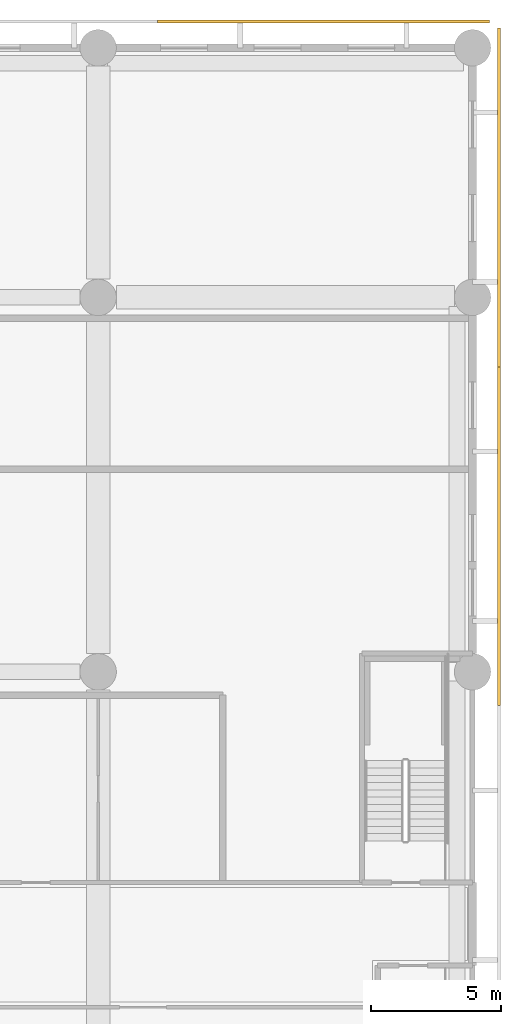
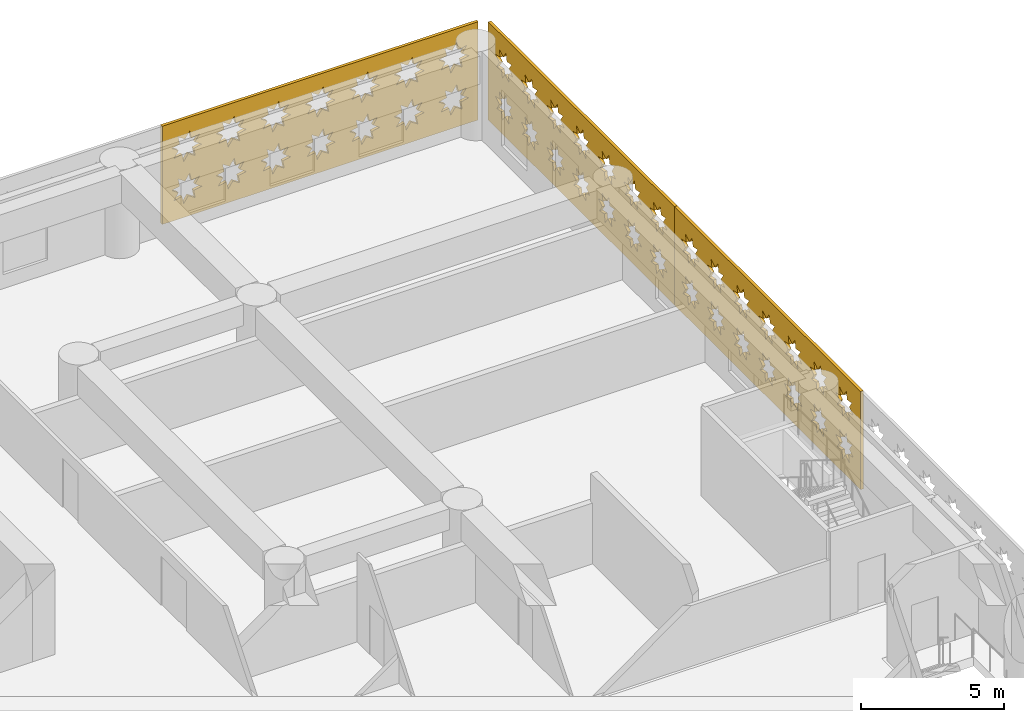
# One storey, part 23 of 23: 3 coverings.
"""IFC4 building model written with IfcOpenShell, lengths in metres."""

from ifc_helpers import new_model, si_unit, direction, frame, origin, place, context, subcontext, project, spatial, polyline, outline, extrude, material, layer, layer_set, type_object, element, save


model = new_model("IFC4")

# Units and contexts
model_context = context("Model", 3, precision=1e-05, world=origin(), true_north=direction((0.0, 1.0)))
body_context = subcontext(model_context, "Body", "Model", "MODEL_VIEW")
ifc_project = project(units=[si_unit("LENGTHUNIT", "METRE"), si_unit("AREAUNIT", "SQUARE_METRE"), si_unit("VOLUMEUNIT", "CUBIC_METRE"), si_unit("PLANEANGLEUNIT", "RADIAN"), si_unit("MASSUNIT", "GRAM", prefix="KILO")], contexts=[model_context])

# Site, building, storey
site_placement = place(None, origin())
site = spatial("IfcSite", under=ifc_project, at=site_placement, CompositionType="ELEMENT")
building_placement = place(site_placement, origin())
building = spatial("IfcBuilding", under=site, at=building_placement, Name="Saffron Iwan Residences", CompositionType="ELEMENT")
storey_placement = place(building_placement, frame((0.0, 0.0, 17.39990234375)))
storey = spatial("IfcBuildingStorey", under=building, at=storey_placement, Name="L03", CompositionType="ELEMENT", Elevation=17.39990234375)

# Coverings
ifc_material = material(Name="Terracotta screen, precast concrete C40/50", Category="masonry")
ifc_layer = layer(ifc_material, 0.1201171875)
ifc_layer_set = layer_set([ifc_layer], Name="Terracotta screen, precast concrete C40/50")
covering_type = type_object("IfcCoveringType", Name="PODIUM SCREEN GIRIH", PredefinedType="CLADDING", material=ifc_layer_set)
covering_1_placement = place(storey_placement, frame((101.75, 61.0966796875, -0.39990234375), z_axis=(1.0, 0.0, 0.0), x_axis=(0.0, 1.0, 0.0)))
element("IfcCovering", 1, at=covering_1_placement, inside=storey, type_object=covering_type, Name="SCREEN girih terracotta L03 F1.4", PredefinedType="CLADDING", context=body_context, shape_type="SweptSolid", body=[
    extrude(outline(polyline([(0.0, 0.0), (13.03662109375, 0.0), (13.03662109375, 4.199951171875), (0.0, 4.199951171875), (0.0, 0.0)]), holes=[polyline([(1.726318359375, 1.321044921875), (1.40087890625, 1.388916015625), (1.462890625, 1.715576171875), (1.184814453125, 1.533447265625), (0.997314453125, 1.80810546875), (0.929443359375, 1.482666015625), (0.602783203125, 1.54443359375), (0.784912109375, 1.266357421875), (0.51025390625, 1.0791015625), (0.835693359375, 1.010986328125), (0.77392578125, 0.6845703125), (1.052001953125, 0.866455078125), (1.2392578125, 0.591796875), (1.30712890625, 0.917236328125), (1.6337890625, 0.85546875), (1.451904296875, 1.1337890625), (1.726318359375, 1.321044921875)]), polyline([(1.726318359375, 3.12109375), (1.40087890625, 3.18896484375), (1.462890625, 3.515380859375), (1.184814453125, 3.33349609375), (0.997314453125, 3.608154296875), (0.929443359375, 3.28271484375), (0.602783203125, 3.344482421875), (0.784912109375, 3.06640625), (0.51025390625, 2.87890625), (0.835693359375, 2.81103515625), (0.77392578125, 2.484619140625), (1.052001953125, 2.66650390625), (1.2392578125, 2.391845703125), (1.30712890625, 2.71728515625), (1.6337890625, 2.655517578125), (1.451904296875, 2.93359375), (1.726318359375, 3.12109375)]), polyline([(3.5263671875, 1.321044921875), (3.200927734375, 1.388916015625), (3.2626953125, 1.715576171875), (2.984619140625, 1.533447265625), (2.79736328125, 1.80810546875), (2.7294921875, 1.482666015625), (2.40283203125, 1.54443359375), (2.5849609375, 1.266357421875), (2.310302734375, 1.0791015625), (2.635498046875, 1.010986328125), (2.573974609375, 0.6845703125), (2.85205078125, 0.866455078125), (3.039306640625, 0.591796875), (3.107177734375, 0.917236328125), (3.433837890625, 0.85546875), (3.251708984375, 1.1337890625), (3.5263671875, 1.321044921875)]), polyline([(3.5263671875, 3.12109375), (3.200927734375, 3.18896484375), (3.2626953125, 3.515380859375), (2.984619140625, 3.33349609375), (2.79736328125, 3.608154296875), (2.7294921875, 3.28271484375), (2.40283203125, 3.344482421875), (2.5849609375, 3.06640625), (2.310302734375, 2.87890625), (2.635498046875, 2.81103515625), (2.573974609375, 2.484619140625), (2.85205078125, 2.66650390625), (3.039306640625, 2.391845703125), (3.107177734375, 2.71728515625), (3.433837890625, 2.655517578125), (3.251708984375, 2.93359375), (3.5263671875, 3.12109375)]), polyline([(5.326416015625, 1.321044921875), (5.0009765625, 1.388916015625), (5.062744140625, 1.715576171875), (4.78466796875, 1.533447265625), (4.597412109375, 1.80810546875), (4.529296875, 1.482666015625), (4.202880859375, 1.54443359375), (4.385009765625, 1.266357421875), (4.110107421875, 1.0791015625), (4.435546875, 1.010986328125), (4.373779296875, 0.6845703125), (4.652099609375, 0.866455078125), (4.83935546875, 0.591796875), (4.9072265625, 0.917236328125), (5.23388671875, 0.85546875), (5.0517578125, 1.1337890625), (5.326416015625, 1.321044921875)]), polyline([(5.326416015625, 3.12109375), (5.0009765625, 3.18896484375), (5.062744140625, 3.515380859375), (4.78466796875, 3.33349609375), (4.597412109375, 3.608154296875), (4.529296875, 3.28271484375), (4.202880859375, 3.344482421875), (4.385009765625, 3.06640625), (4.110107421875, 2.87890625), (4.435546875, 2.81103515625), (4.373779296875, 2.484619140625), (4.652099609375, 2.66650390625), (4.83935546875, 2.391845703125), (4.9072265625, 2.71728515625), (5.23388671875, 2.655517578125), (5.0517578125, 2.93359375), (5.326416015625, 3.12109375)]), polyline([(7.12646484375, 1.321044921875), (6.801025390625, 1.388916015625), (6.86279296875, 1.715576171875), (6.584716796875, 1.533447265625), (6.3974609375, 1.80810546875), (6.329345703125, 1.482666015625), (6.002685546875, 1.54443359375), (6.184814453125, 1.266357421875), (5.91015625, 1.0791015625), (6.235595703125, 1.010986328125), (6.173828125, 0.6845703125), (6.451904296875, 0.866455078125), (6.639404296875, 0.591796875), (6.707275390625, 0.917236328125), (7.03369140625, 0.85546875), (6.851806640625, 1.1337890625), (7.12646484375, 1.321044921875)]), polyline([(7.12646484375, 3.12109375), (6.801025390625, 3.18896484375), (6.86279296875, 3.515380859375), (6.584716796875, 3.33349609375), (6.3974609375, 3.608154296875), (6.329345703125, 3.28271484375), (6.002685546875, 3.344482421875), (6.184814453125, 3.06640625), (5.91015625, 2.87890625), (6.235595703125, 2.81103515625), (6.173828125, 2.484619140625), (6.451904296875, 2.66650390625), (6.639404296875, 2.391845703125), (6.707275390625, 2.71728515625), (7.03369140625, 2.655517578125), (6.851806640625, 2.93359375), (7.12646484375, 3.12109375)]), polyline([(8.926513671875, 1.321044921875), (8.60107421875, 1.388916015625), (8.662841796875, 1.715576171875), (8.384765625, 1.533447265625), (8.197509765625, 1.80810546875), (8.12939453125, 1.482666015625), (7.802734375, 1.54443359375), (7.98486328125, 1.266357421875), (7.710205078125, 1.0791015625), (8.03564453125, 1.010986328125), (7.973876953125, 0.6845703125), (8.251953125, 0.866455078125), (8.439208984375, 0.591796875), (8.507080078125, 0.917236328125), (8.833740234375, 0.85546875), (8.65185546875, 1.1337890625), (8.926513671875, 1.321044921875)]), polyline([(8.926513671875, 3.12109375), (8.60107421875, 3.18896484375), (8.662841796875, 3.515380859375), (8.384765625, 3.33349609375), (8.197509765625, 3.608154296875), (8.12939453125, 3.28271484375), (7.802734375, 3.344482421875), (7.98486328125, 3.06640625), (7.710205078125, 2.87890625), (8.03564453125, 2.81103515625), (7.973876953125, 2.484619140625), (8.251953125, 2.66650390625), (8.439208984375, 2.391845703125), (8.507080078125, 2.71728515625), (8.833740234375, 2.655517578125), (8.65185546875, 2.93359375), (8.926513671875, 3.12109375)]), polyline([(10.726318359375, 1.321044921875), (10.40087890625, 1.388916015625), (10.462890625, 1.715576171875), (10.184814453125, 1.533447265625), (9.997314453125, 1.80810546875), (9.929443359375, 1.482666015625), (9.602783203125, 1.54443359375), (9.784912109375, 1.266357421875), (9.51025390625, 1.0791015625), (9.835693359375, 1.010986328125), (9.77392578125, 0.6845703125), (10.052001953125, 0.866455078125), (10.2392578125, 0.591796875), (10.30712890625, 0.917236328125), (10.6337890625, 0.85546875), (10.451904296875, 1.1337890625), (10.726318359375, 1.321044921875)]), polyline([(10.726318359375, 3.12109375), (10.40087890625, 3.18896484375), (10.462890625, 3.515380859375), (10.184814453125, 3.33349609375), (9.997314453125, 3.608154296875), (9.929443359375, 3.28271484375), (9.602783203125, 3.344482421875), (9.784912109375, 3.06640625), (9.51025390625, 2.87890625), (9.835693359375, 2.81103515625), (9.77392578125, 2.484619140625), (10.052001953125, 2.66650390625), (10.2392578125, 2.391845703125), (10.30712890625, 2.71728515625), (10.6337890625, 2.655517578125), (10.451904296875, 2.93359375), (10.726318359375, 3.12109375)]), polyline([(12.5263671875, 1.321044921875), (12.200927734375, 1.388916015625), (12.2626953125, 1.715576171875), (11.984619140625, 1.533447265625), (11.79736328125, 1.80810546875), (11.7294921875, 1.482666015625), (11.40283203125, 1.54443359375), (11.5849609375, 1.266357421875), (11.310302734375, 1.0791015625), (11.635498046875, 1.010986328125), (11.573974609375, 0.6845703125), (11.85205078125, 0.866455078125), (12.039306640625, 0.591796875), (12.107177734375, 0.917236328125), (12.433837890625, 0.85546875), (12.251708984375, 1.1337890625), (12.5263671875, 1.321044921875)]), polyline([(12.5263671875, 3.12109375), (12.200927734375, 3.18896484375), (12.2626953125, 3.515380859375), (11.984619140625, 3.33349609375), (11.79736328125, 3.608154296875), (11.7294921875, 3.28271484375), (11.40283203125, 3.344482421875), (11.5849609375, 3.06640625), (11.310302734375, 2.87890625), (11.635498046875, 2.81103515625), (11.573974609375, 2.484619140625), (11.85205078125, 2.66650390625), (12.039306640625, 2.391845703125), (12.107177734375, 2.71728515625), (12.433837890625, 2.655517578125), (12.251708984375, 2.93359375), (12.5263671875, 3.12109375)])]), origin(), (0.0, 0.0, 1.0), 0.1201171875),
])
covering_2_placement = place(storey_placement, frame((101.75, 74.13330078125, -0.39990234375), z_axis=(1.0, 0.0, 0.0), x_axis=(0.0, 1.0, 0.0)))
element("IfcCovering", 2, at=covering_2_placement, inside=storey, type_object=covering_type, Name="SCREEN girih terracotta L03 F1.5", PredefinedType="CLADDING", context=body_context, shape_type="SweptSolid", body=[
    extrude(outline(polyline([(0.0, 0.0), (13.03662109375, 0.0), (13.03662109375, 4.199951171875), (0.0, 4.199951171875), (0.0, 0.0)]), holes=[polyline([(1.726318359375, 1.321044921875), (1.40087890625, 1.388916015625), (1.462890625, 1.715576171875), (1.184814453125, 1.533447265625), (0.997314453125, 1.80810546875), (0.929443359375, 1.482666015625), (0.602783203125, 1.54443359375), (0.784912109375, 1.266357421875), (0.51025390625, 1.0791015625), (0.835693359375, 1.010986328125), (0.77392578125, 0.6845703125), (1.052001953125, 0.866455078125), (1.2392578125, 0.591796875), (1.30712890625, 0.917236328125), (1.6337890625, 0.85546875), (1.451904296875, 1.1337890625), (1.726318359375, 1.321044921875)]), polyline([(1.726318359375, 3.12109375), (1.40087890625, 3.18896484375), (1.462890625, 3.515380859375), (1.184814453125, 3.33349609375), (0.997314453125, 3.608154296875), (0.929443359375, 3.28271484375), (0.602783203125, 3.344482421875), (0.784912109375, 3.06640625), (0.51025390625, 2.87890625), (0.835693359375, 2.81103515625), (0.77392578125, 2.484619140625), (1.052001953125, 2.66650390625), (1.2392578125, 2.391845703125), (1.30712890625, 2.71728515625), (1.6337890625, 2.655517578125), (1.451904296875, 2.93359375), (1.726318359375, 3.12109375)]), polyline([(3.5263671875, 1.321044921875), (3.200927734375, 1.388916015625), (3.2626953125, 1.715576171875), (2.984619140625, 1.533447265625), (2.79736328125, 1.80810546875), (2.7294921875, 1.482666015625), (2.40283203125, 1.54443359375), (2.5849609375, 1.266357421875), (2.310302734375, 1.0791015625), (2.635498046875, 1.010986328125), (2.573974609375, 0.6845703125), (2.85205078125, 0.866455078125), (3.039306640625, 0.591796875), (3.107177734375, 0.917236328125), (3.433837890625, 0.85546875), (3.251708984375, 1.1337890625), (3.5263671875, 1.321044921875)]), polyline([(3.5263671875, 3.12109375), (3.200927734375, 3.18896484375), (3.2626953125, 3.515380859375), (2.984619140625, 3.33349609375), (2.79736328125, 3.608154296875), (2.7294921875, 3.28271484375), (2.40283203125, 3.344482421875), (2.5849609375, 3.06640625), (2.310302734375, 2.87890625), (2.635498046875, 2.81103515625), (2.573974609375, 2.484619140625), (2.85205078125, 2.66650390625), (3.039306640625, 2.391845703125), (3.107177734375, 2.71728515625), (3.433837890625, 2.655517578125), (3.251708984375, 2.93359375), (3.5263671875, 3.12109375)]), polyline([(5.326416015625, 1.321044921875), (5.0009765625, 1.388916015625), (5.062744140625, 1.715576171875), (4.78466796875, 1.533447265625), (4.597412109375, 1.80810546875), (4.529296875, 1.482666015625), (4.202880859375, 1.54443359375), (4.385009765625, 1.266357421875), (4.110107421875, 1.0791015625), (4.435546875, 1.010986328125), (4.373779296875, 0.6845703125), (4.652099609375, 0.866455078125), (4.83935546875, 0.591796875), (4.9072265625, 0.917236328125), (5.23388671875, 0.85546875), (5.0517578125, 1.1337890625), (5.326416015625, 1.321044921875)]), polyline([(5.326416015625, 3.12109375), (5.0009765625, 3.18896484375), (5.062744140625, 3.515380859375), (4.78466796875, 3.33349609375), (4.597412109375, 3.608154296875), (4.529296875, 3.28271484375), (4.202880859375, 3.344482421875), (4.385009765625, 3.06640625), (4.110107421875, 2.87890625), (4.435546875, 2.81103515625), (4.373779296875, 2.484619140625), (4.652099609375, 2.66650390625), (4.83935546875, 2.391845703125), (4.9072265625, 2.71728515625), (5.23388671875, 2.655517578125), (5.0517578125, 2.93359375), (5.326416015625, 3.12109375)]), polyline([(7.12646484375, 1.321044921875), (6.801025390625, 1.388916015625), (6.86279296875, 1.715576171875), (6.584716796875, 1.533447265625), (6.3974609375, 1.80810546875), (6.329345703125, 1.482666015625), (6.002685546875, 1.54443359375), (6.184814453125, 1.266357421875), (5.91015625, 1.0791015625), (6.235595703125, 1.010986328125), (6.173828125, 0.6845703125), (6.451904296875, 0.866455078125), (6.639404296875, 0.591796875), (6.707275390625, 0.917236328125), (7.03369140625, 0.85546875), (6.851806640625, 1.1337890625), (7.12646484375, 1.321044921875)]), polyline([(7.12646484375, 3.12109375), (6.801025390625, 3.18896484375), (6.86279296875, 3.515380859375), (6.584716796875, 3.33349609375), (6.3974609375, 3.608154296875), (6.329345703125, 3.28271484375), (6.002685546875, 3.344482421875), (6.184814453125, 3.06640625), (5.91015625, 2.87890625), (6.235595703125, 2.81103515625), (6.173828125, 2.484619140625), (6.451904296875, 2.66650390625), (6.639404296875, 2.391845703125), (6.707275390625, 2.71728515625), (7.03369140625, 2.655517578125), (6.851806640625, 2.93359375), (7.12646484375, 3.12109375)]), polyline([(8.926513671875, 1.321044921875), (8.60107421875, 1.388916015625), (8.662841796875, 1.715576171875), (8.384765625, 1.533447265625), (8.197509765625, 1.80810546875), (8.12939453125, 1.482666015625), (7.802734375, 1.54443359375), (7.98486328125, 1.266357421875), (7.710205078125, 1.0791015625), (8.03564453125, 1.010986328125), (7.973876953125, 0.6845703125), (8.251953125, 0.866455078125), (8.439208984375, 0.591796875), (8.507080078125, 0.917236328125), (8.833740234375, 0.85546875), (8.65185546875, 1.1337890625), (8.926513671875, 1.321044921875)]), polyline([(8.926513671875, 3.12109375), (8.60107421875, 3.18896484375), (8.662841796875, 3.515380859375), (8.384765625, 3.33349609375), (8.197509765625, 3.608154296875), (8.12939453125, 3.28271484375), (7.802734375, 3.344482421875), (7.98486328125, 3.06640625), (7.710205078125, 2.87890625), (8.03564453125, 2.81103515625), (7.973876953125, 2.484619140625), (8.251953125, 2.66650390625), (8.439208984375, 2.391845703125), (8.507080078125, 2.71728515625), (8.833740234375, 2.655517578125), (8.65185546875, 2.93359375), (8.926513671875, 3.12109375)]), polyline([(10.726318359375, 1.321044921875), (10.40087890625, 1.388916015625), (10.462890625, 1.715576171875), (10.184814453125, 1.533447265625), (9.997314453125, 1.80810546875), (9.929443359375, 1.482666015625), (9.602783203125, 1.54443359375), (9.784912109375, 1.266357421875), (9.51025390625, 1.0791015625), (9.835693359375, 1.010986328125), (9.77392578125, 0.6845703125), (10.052001953125, 0.866455078125), (10.2392578125, 0.591796875), (10.30712890625, 0.917236328125), (10.6337890625, 0.85546875), (10.451904296875, 1.1337890625), (10.726318359375, 1.321044921875)]), polyline([(10.726318359375, 3.12109375), (10.40087890625, 3.18896484375), (10.462890625, 3.515380859375), (10.184814453125, 3.33349609375), (9.997314453125, 3.608154296875), (9.929443359375, 3.28271484375), (9.602783203125, 3.344482421875), (9.784912109375, 3.06640625), (9.51025390625, 2.87890625), (9.835693359375, 2.81103515625), (9.77392578125, 2.484619140625), (10.052001953125, 2.66650390625), (10.2392578125, 2.391845703125), (10.30712890625, 2.71728515625), (10.6337890625, 2.655517578125), (10.451904296875, 2.93359375), (10.726318359375, 3.12109375)]), polyline([(12.5263671875, 1.321044921875), (12.200927734375, 1.388916015625), (12.2626953125, 1.715576171875), (11.984619140625, 1.533447265625), (11.79736328125, 1.80810546875), (11.7294921875, 1.482666015625), (11.40283203125, 1.54443359375), (11.5849609375, 1.266357421875), (11.310302734375, 1.0791015625), (11.635498046875, 1.010986328125), (11.573974609375, 0.6845703125), (11.85205078125, 0.866455078125), (12.039306640625, 0.591796875), (12.107177734375, 0.917236328125), (12.433837890625, 0.85546875), (12.251708984375, 1.1337890625), (12.5263671875, 1.321044921875)]), polyline([(12.5263671875, 3.12109375), (12.200927734375, 3.18896484375), (12.2626953125, 3.515380859375), (11.984619140625, 3.33349609375), (11.79736328125, 3.608154296875), (11.7294921875, 3.28271484375), (11.40283203125, 3.344482421875), (11.5849609375, 3.06640625), (11.310302734375, 2.87890625), (11.635498046875, 2.81103515625), (11.573974609375, 2.484619140625), (11.85205078125, 2.66650390625), (12.039306640625, 2.391845703125), (12.107177734375, 2.71728515625), (12.433837890625, 2.655517578125), (12.251708984375, 2.93359375), (12.5263671875, 3.12109375)])]), origin(), (0.0, 0.0, 1.0), 0.1201171875),
])
covering_3_placement = place(storey_placement, frame((101.449951171875, 87.35009765625, -0.39990234375), z_axis=(0.0, 1.0, 0.0), x_axis=(-1.0, 0.0, 0.0)))
element("IfcCovering", 3, at=covering_3_placement, inside=storey, type_object=covering_type, Name="SCREEN girih terracotta L03 F2.0", PredefinedType="CLADDING", context=body_context, shape_type="SweptSolid", body=[
    extrude(outline(polyline([(0.0, 0.0), (12.777587890625, 0.0), (12.777587890625, 4.199951171875), (0.0, 4.199951171875), (0.0, 0.0)]), holes=[polyline([(1.5966796875, 1.321044921875), (1.271484375, 1.388916015625), (1.333251953125, 1.715576171875), (1.05517578125, 1.533447265625), (0.867919921875, 1.80810546875), (0.7998046875, 1.482666015625), (0.47314453125, 1.54443359375), (0.6552734375, 1.266357421875), (0.380615234375, 1.0791015625), (0.7060546875, 1.010986328125), (0.644287109375, 0.6845703125), (0.92236328125, 0.866455078125), (1.109619140625, 0.591796875), (1.177490234375, 0.917236328125), (1.50439453125, 0.85546875), (1.322265625, 1.1337890625), (1.5966796875, 1.321044921875)]), polyline([(1.5966796875, 3.12109375), (1.271484375, 3.18896484375), (1.333251953125, 3.515380859375), (1.05517578125, 3.33349609375), (0.867919921875, 3.608154296875), (0.7998046875, 3.28271484375), (0.47314453125, 3.344482421875), (0.6552734375, 3.06640625), (0.380615234375, 2.87890625), (0.7060546875, 2.81103515625), (0.644287109375, 2.484619140625), (0.92236328125, 2.66650390625), (1.109619140625, 2.391845703125), (1.177490234375, 2.71728515625), (1.50439453125, 2.655517578125), (1.322265625, 2.93359375), (1.5966796875, 3.12109375)]), polyline([(3.396728515625, 1.321044921875), (3.0712890625, 1.388916015625), (3.13330078125, 1.715576171875), (2.85498046875, 1.533447265625), (2.667724609375, 1.80810546875), (2.599853515625, 1.482666015625), (2.273193359375, 1.54443359375), (2.455322265625, 1.266357421875), (2.1806640625, 1.0791015625), (2.506103515625, 1.010986328125), (2.4443359375, 0.6845703125), (2.722412109375, 0.866455078125), (2.90966796875, 0.591796875), (2.9775390625, 0.917236328125), (3.30419921875, 0.85546875), (3.122314453125, 1.1337890625), (3.396728515625, 1.321044921875)]), polyline([(3.396728515625, 3.12109375), (3.0712890625, 3.18896484375), (3.13330078125, 3.515380859375), (2.85498046875, 3.33349609375), (2.667724609375, 3.608154296875), (2.599853515625, 3.28271484375), (2.273193359375, 3.344482421875), (2.455322265625, 3.06640625), (2.1806640625, 2.87890625), (2.506103515625, 2.81103515625), (2.4443359375, 2.484619140625), (2.722412109375, 2.66650390625), (2.90966796875, 2.391845703125), (2.9775390625, 2.71728515625), (3.30419921875, 2.655517578125), (3.122314453125, 2.93359375), (3.396728515625, 3.12109375)]), polyline([(5.19677734375, 1.321044921875), (4.871337890625, 1.388916015625), (4.93310546875, 1.715576171875), (4.655029296875, 1.533447265625), (4.4677734375, 1.80810546875), (4.39990234375, 1.482666015625), (4.0732421875, 1.54443359375), (4.25537109375, 1.266357421875), (3.980712890625, 1.0791015625), (4.30615234375, 1.010986328125), (4.244384765625, 0.6845703125), (4.5224609375, 0.866455078125), (4.709716796875, 0.591796875), (4.777587890625, 0.917236328125), (5.104248046875, 0.85546875), (4.922119140625, 1.1337890625), (5.19677734375, 1.321044921875)]), polyline([(5.19677734375, 3.12109375), (4.871337890625, 3.18896484375), (4.93310546875, 3.515380859375), (4.655029296875, 3.33349609375), (4.4677734375, 3.608154296875), (4.39990234375, 3.28271484375), (4.0732421875, 3.344482421875), (4.25537109375, 3.06640625), (3.980712890625, 2.87890625), (4.30615234375, 2.81103515625), (4.244384765625, 2.484619140625), (4.5224609375, 2.66650390625), (4.709716796875, 2.391845703125), (4.777587890625, 2.71728515625), (5.104248046875, 2.655517578125), (4.922119140625, 2.93359375), (5.19677734375, 3.12109375)]), polyline([(6.996826171875, 1.321044921875), (6.67138671875, 1.388916015625), (6.733154296875, 1.715576171875), (6.455078125, 1.533447265625), (6.267822265625, 1.80810546875), (6.199951171875, 1.482666015625), (5.873291015625, 1.54443359375), (6.055419921875, 1.266357421875), (5.78076171875, 1.0791015625), (6.106201171875, 1.010986328125), (6.044189453125, 0.6845703125), (6.322509765625, 0.866455078125), (6.509765625, 0.591796875), (6.57763671875, 0.917236328125), (6.904296875, 0.85546875), (6.72216796875, 1.1337890625), (6.996826171875, 1.321044921875)]), polyline([(6.996826171875, 3.12109375), (6.67138671875, 3.18896484375), (6.733154296875, 3.515380859375), (6.455078125, 3.33349609375), (6.267822265625, 3.608154296875), (6.199951171875, 3.28271484375), (5.873291015625, 3.344482421875), (6.055419921875, 3.06640625), (5.78076171875, 2.87890625), (6.106201171875, 2.81103515625), (6.044189453125, 2.484619140625), (6.322509765625, 2.66650390625), (6.509765625, 2.391845703125), (6.57763671875, 2.71728515625), (6.904296875, 2.655517578125), (6.72216796875, 2.93359375), (6.996826171875, 3.12109375)]), polyline([(8.796875, 1.321044921875), (8.471435546875, 1.388916015625), (8.533203125, 1.715576171875), (8.255126953125, 1.533447265625), (8.06787109375, 1.80810546875), (8.0, 1.482666015625), (7.673095703125, 1.54443359375), (7.855224609375, 1.266357421875), (7.580810546875, 1.0791015625), (7.906005859375, 1.010986328125), (7.84423828125, 0.6845703125), (8.122314453125, 0.866455078125), (8.309814453125, 0.591796875), (8.377685546875, 0.917236328125), (8.704345703125, 0.85546875), (8.522216796875, 1.1337890625), (8.796875, 1.321044921875)]), polyline([(8.796875, 3.12109375), (8.471435546875, 3.18896484375), (8.533203125, 3.515380859375), (8.255126953125, 3.33349609375), (8.06787109375, 3.608154296875), (8.0, 3.28271484375), (7.673095703125, 3.344482421875), (7.855224609375, 3.06640625), (7.580810546875, 2.87890625), (7.906005859375, 2.81103515625), (7.84423828125, 2.484619140625), (8.122314453125, 2.66650390625), (8.309814453125, 2.391845703125), (8.377685546875, 2.71728515625), (8.704345703125, 2.655517578125), (8.522216796875, 2.93359375), (8.796875, 3.12109375)]), polyline([(10.5966796875, 1.321044921875), (10.271484375, 1.388916015625), (10.333251953125, 1.715576171875), (10.05517578125, 1.533447265625), (9.867919921875, 1.80810546875), (9.7998046875, 1.482666015625), (9.47314453125, 1.54443359375), (9.6552734375, 1.266357421875), (9.380615234375, 1.0791015625), (9.7060546875, 1.010986328125), (9.644287109375, 0.6845703125), (9.92236328125, 0.866455078125), (10.109619140625, 0.591796875), (10.177490234375, 0.917236328125), (10.50439453125, 0.85546875), (10.322265625, 1.1337890625), (10.5966796875, 1.321044921875)]), polyline([(10.5966796875, 3.12109375), (10.271484375, 3.18896484375), (10.333251953125, 3.515380859375), (10.05517578125, 3.33349609375), (9.867919921875, 3.608154296875), (9.7998046875, 3.28271484375), (9.47314453125, 3.344482421875), (9.6552734375, 3.06640625), (9.380615234375, 2.87890625), (9.7060546875, 2.81103515625), (9.644287109375, 2.484619140625), (9.92236328125, 2.66650390625), (10.109619140625, 2.391845703125), (10.177490234375, 2.71728515625), (10.50439453125, 2.655517578125), (10.322265625, 2.93359375), (10.5966796875, 3.12109375)]), polyline([(12.396728515625, 1.321044921875), (12.0712890625, 1.388916015625), (12.13330078125, 1.715576171875), (11.85498046875, 1.533447265625), (11.667724609375, 1.80810546875), (11.599853515625, 1.482666015625), (11.273193359375, 1.54443359375), (11.455322265625, 1.266357421875), (11.1806640625, 1.0791015625), (11.506103515625, 1.010986328125), (11.4443359375, 0.6845703125), (11.722412109375, 0.866455078125), (11.90966796875, 0.591796875), (11.9775390625, 0.917236328125), (12.30419921875, 0.85546875), (12.122314453125, 1.1337890625), (12.396728515625, 1.321044921875)]), polyline([(12.396728515625, 3.12109375), (12.0712890625, 3.18896484375), (12.13330078125, 3.515380859375), (11.85498046875, 3.33349609375), (11.667724609375, 3.608154296875), (11.599853515625, 3.28271484375), (11.273193359375, 3.344482421875), (11.455322265625, 3.06640625), (11.1806640625, 2.87890625), (11.506103515625, 2.81103515625), (11.4443359375, 2.484619140625), (11.722412109375, 2.66650390625), (11.90966796875, 2.391845703125), (11.9775390625, 2.71728515625), (12.30419921875, 2.655517578125), (12.122314453125, 2.93359375), (12.396728515625, 3.12109375)])]), origin(), (0.0, 0.0, 1.0), 0.119873046875),
])

save(model, "model.ifc")
